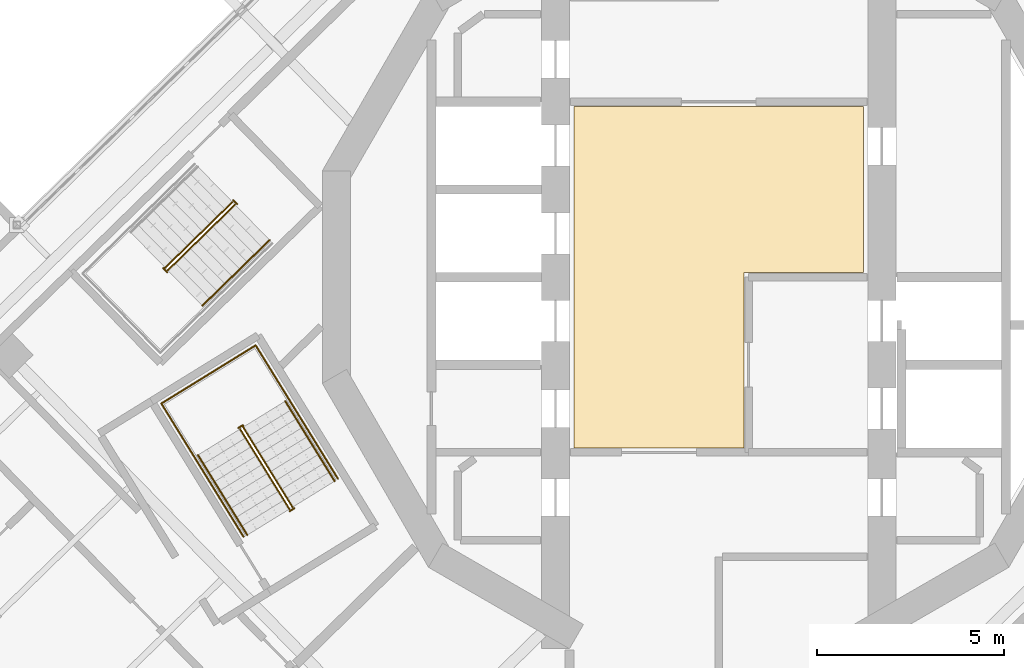
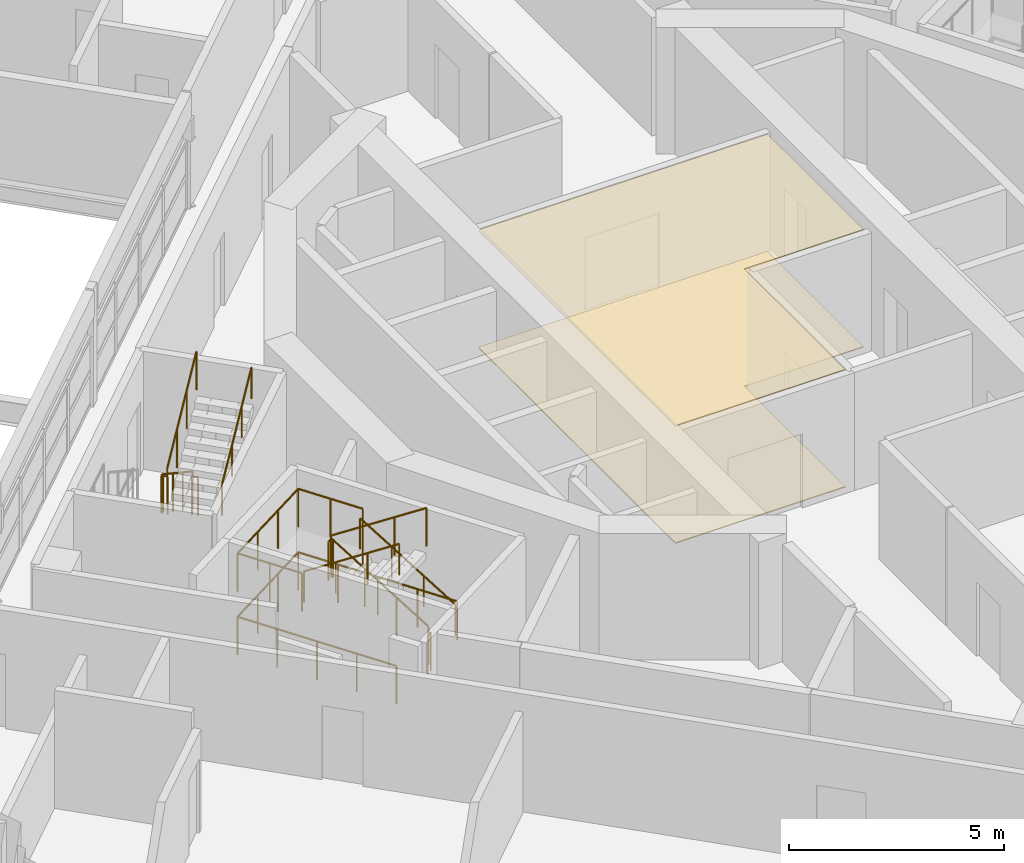
# One storey, part 17 of 21: 11 railings, 2 coverings.
"""IFC4 building model written with IfcOpenShell, lengths in metres."""

from ifc_helpers import new_model, si_unit, direction, frame, origin, origin_2d, place, context, subcontext, project, spatial, polyline, circle, outline, extrude, material, layer, layer_set, type_object, element, save


model = new_model("IFC4")

# Units and contexts
model_context = context("Model", 3, precision=1e-05, world=origin(), true_north=direction((0.0, 1.0)))
body_context = subcontext(model_context, "Body", "Model", "MODEL_VIEW")
ifc_project = project(units=[si_unit("LENGTHUNIT", "METRE"), si_unit("AREAUNIT", "SQUARE_METRE"), si_unit("VOLUMEUNIT", "CUBIC_METRE"), si_unit("PLANEANGLEUNIT", "RADIAN"), si_unit("MASSUNIT", "GRAM", prefix="KILO")], contexts=[model_context])

# Site, building, storey
site_placement = place(None, origin())
site = spatial("IfcSite", under=ifc_project, at=site_placement, CompositionType="ELEMENT")
building_placement = place(site_placement, origin())
building = spatial("IfcBuilding", under=site, at=building_placement, Name="Cantera Rosa Tower", CompositionType="ELEMENT")
storey_placement = place(building_placement, frame((0.0, 0.0, 230.60009765625)))
storey = spatial("IfcBuildingStorey", under=building, at=storey_placement, Name="L50", CompositionType="ELEMENT", Elevation=230.60009765625)

# Railings
ifc_material_1 = material(Name="Steel S355J2 (EN 10025-2)", Category="steel")
railing_type_1 = type_object("IfcRailingType", Name="STAIR GUARD 1100", PredefinedType="GUARDRAIL", material=ifc_material_1)
railing_1_placement = place(storey_placement, frame((-13.032958984375, 2.013427734375, 0.179931640625)))
element("IfcRailing", 1, at=railing_1_placement, inside=storey, type_object=railing_type_1, Name="L50 ST-43 stair guard 1", PredefinedType="GUARDRAIL", context=body_context, shape_type="SweptSolid", body=[
    extrude(circle(Radius=0.02392578125, at=origin_2d()), frame((0.0, 0.0, 1.076171875), z_axis=(-0.60169873645, -0.587844099419, 0.540738333515), x_axis=(0.698823692472, -0.715293958342, 0.0)), (0.0, 0.0, 1.0), 2.99560546875),
    extrude(circle(Radius=0.02392578125, at=origin_2d()), frame((-1.802490234375, -1.760986328125, 2.69580078125), z_axis=(-0.956987977523, -0.290127576896, 0.0), x_axis=(0.290127576896, -0.956987977523, 0.0)), (0.0, 0.0, 1.0), 0.056396484375),
    extrude(circle(Radius=0.02392578125, at=origin_2d()), frame((-1.8564453125, -1.77734375, 2.69580078125), z_axis=(0.698932947801, -0.715187202401, 0.0), x_axis=(0.715187202401, 0.698932947801, 0.0)), (0.0, 0.0, 1.0), 0.150146484375),
    extrude(circle(Radius=0.02099609375, at=origin_2d()), origin(), (0.0, 0.0, 1.0), 1.052001953125),
    extrude(circle(Radius=0.02099609375, at=origin_2d()), frame((-0.600830078125, -0.5869140625, 0.5400390625)), (0.0, 0.0, 1.0), 1.052001953125),
    extrude(circle(Radius=0.02099609375, at=origin_2d()), frame((-1.20166015625, -1.174072265625, 1.079833984375)), (0.0, 0.0, 1.0), 1.052001953125),
    extrude(circle(Radius=0.02099609375, at=origin_2d()), frame((-1.802490234375, -1.760986328125, 1.619873046875)), (0.0, 0.0, 1.0), 1.052001953125),
    extrude(circle(Radius=0.02099609375, at=origin_2d()), frame((-1.8564453125, -1.77734375, 1.619873046875)), (0.0, 0.0, 1.0), 1.052001953125),
    extrude(circle(Radius=0.02099609375, at=origin_2d()), frame((-1.75146484375, -1.884765625, 1.619873046875)), (0.0, 0.0, 1.0), 1.052001953125),
])
railing_2_placement = place(storey_placement, frame((-14.766845703125, 0.182373046875, 1.97998046875)))
element("IfcRailing", 2, at=railing_2_placement, inside=storey, type_object=railing_type_1, Name="L50 ST-43 stair guard 2", PredefinedType="GUARDRAIL", context=body_context, shape_type="SweptSolid", body=[
    extrude(circle(Radius=0.02392578125, at=origin_2d()), frame((0.0, 0.0, 1.076171875), z_axis=(0.60169873645, 0.587844099419, 0.540738333515), x_axis=(-0.698823692472, 0.715293958342, 0.0)), (0.0, 0.0, 1.0), 2.99560546875),
    extrude(circle(Radius=0.02099609375, at=origin_2d()), origin(), (0.0, 0.0, 1.0), 1.052001953125),
    extrude(circle(Radius=0.02099609375, at=origin_2d()), frame((0.600830078125, 0.5869140625, 0.5400390625)), (0.0, 0.0, 1.0), 1.052001953125),
    extrude(circle(Radius=0.02099609375, at=origin_2d()), frame((1.20166015625, 1.174072265625, 1.079833984375)), (0.0, 0.0, 1.0), 1.052001953125),
    extrude(circle(Radius=0.02099609375, at=origin_2d()), frame((1.802490234375, 1.760986328125, 1.619873046875)), (0.0, 0.0, 1.0), 1.052001953125),
])
railing_3_placement = place(storey_placement, frame((-13.01513671875, 2.06689453125, 0.0)))
element("IfcRailing", 3, at=railing_3_placement, inside=storey, type_object=railing_type_1, Name="L50 ST-43 stair guard 3", PredefinedType="GUARDRAIL", context=body_context, shape_type="SweptSolid", body=[
    extrude(circle(Radius=0.02392578125, at=origin_2d()), frame((0.0, 0.0, 1.076171875), z_axis=(0.698914008722, -0.715205710557, 0.0), x_axis=(0.715205710557, 0.698914008722, 0.0)), (0.0, 0.0, 1.0), 0.14990234375),
    extrude(circle(Radius=0.02099609375, at=origin_2d()), origin(), (0.0, 0.0, 1.0), 1.052001953125),
    extrude(circle(Radius=0.02099609375, at=origin_2d()), frame((0.104736328125, -0.107177734375, 0.0)), (0.0, 0.0, 1.0), 1.052001953125),
])
railing_4_placement = place(storey_placement, frame((-11.42333984375, -6.165771484375, 0.179931640625)))
element("IfcRailing", 4, at=railing_4_placement, inside=storey, type_object=railing_type_1, Name="L50 ST-44 stair guard 1", PredefinedType="GUARDRAIL", context=body_context, shape_type="SweptSolid", body=[
    extrude(circle(Radius=0.02392578125, at=origin_2d()), frame((0.0, 0.0, 1.076171875), z_axis=(-0.441628529057, 0.715945124149, 0.540728047664), x_axis=(-0.851102330005, -0.524999832248, 0.0)), (0.0, 0.0, 1.0), 2.99560546875),
    extrude(circle(Radius=0.02392578125, at=origin_2d()), frame((-1.322998046875, 2.144775390625, 2.69580078125), z_axis=(-0.073711968402, 0.997279572494, 0.0), x_axis=(-0.997279572494, -0.073711968402, 0.0)), (0.0, 0.0, 1.0), 0.056396484375),
    extrude(circle(Radius=0.02392578125, at=origin_2d()), frame((-1.3271484375, 2.200927734375, 2.69580078125), z_axis=(-0.851546489876, -0.524279100842, 0.0), x_axis=(0.524279100842, -0.851546489876, 0.0)), (0.0, 0.0, 1.0), 0.14990234375),
    extrude(circle(Radius=0.02099609375, at=origin_2d()), origin(), (0.0, 0.0, 1.0), 1.052001953125),
    extrude(circle(Radius=0.02099609375, at=origin_2d()), frame((-0.44091796875, 0.71484375, 0.5400390625)), (0.0, 0.0, 1.0), 1.052001953125),
    extrude(circle(Radius=0.02099609375, at=origin_2d()), frame((-0.882080078125, 1.429931640625, 1.079833984375)), (0.0, 0.0, 1.0), 1.052001953125),
    extrude(circle(Radius=0.02099609375, at=origin_2d()), frame((-1.322998046875, 2.144775390625, 1.619873046875)), (0.0, 0.0, 1.0), 1.052001953125),
    extrude(circle(Radius=0.02099609375, at=origin_2d()), frame((-1.3271484375, 2.200927734375, 1.619873046875)), (0.0, 0.0, 1.0), 1.052001953125),
    extrude(circle(Radius=0.02099609375, at=origin_2d()), frame((-1.454833984375, 2.122314453125, 1.619873046875)), (0.0, 0.0, 1.0), 1.052001953125),
])
railing_5_placement = place(storey_placement, frame((-12.82958984375, -4.072509765625, 1.97998046875)))
element("IfcRailing", 5, at=railing_5_placement, inside=storey, type_object=railing_type_1, Name="L50 ST-44 stair guard 2", PredefinedType="GUARDRAIL", context=body_context, shape_type="SweptSolid", body=[
    extrude(circle(Radius=0.02392578125, at=origin_2d()), frame((0.0, 0.0, 1.076171875), z_axis=(0.441562923896, -0.715970890813, 0.540747508315), x_axis=(0.851145618652, 0.524929648476, 0.0)), (0.0, 0.0, 1.0), 2.99560546875),
    extrude(circle(Radius=0.02099609375, at=origin_2d()), origin(), (0.0, 0.0, 1.0), 1.052001953125),
    extrude(circle(Radius=0.02099609375, at=origin_2d()), frame((0.44091796875, -0.71484375, 0.5400390625)), (0.0, 0.0, 1.0), 1.052001953125),
    extrude(circle(Radius=0.02099609375, at=origin_2d()), frame((0.8818359375, -1.429931640625, 1.079833984375)), (0.0, 0.0, 1.0), 1.052001953125),
    extrude(circle(Radius=0.02099609375, at=origin_2d()), frame((1.32275390625, -2.144775390625, 1.619873046875)), (0.0, 0.0, 1.0), 1.052001953125),
])
railing_6_placement = place(storey_placement, frame((-11.375, -6.19482421875, 0.0)))
element("IfcRailing", 6, at=railing_6_placement, inside=storey, type_object=railing_type_1, Name="L50 ST-44 stair guard 3", PredefinedType="GUARDRAIL", context=body_context, shape_type="SweptSolid", body=[
    extrude(circle(Radius=0.02392578125, at=origin_2d()), frame((0.0, 0.0, 1.076171875), z_axis=(-0.851546489876, -0.524279100842, 0.0), x_axis=(0.524279100842, -0.851546489876, 0.0)), (0.0, 0.0, 1.0), 0.14990234375),
    extrude(circle(Radius=0.02099609375, at=origin_2d()), origin(), (0.0, 0.0, 1.0), 1.052001953125),
    extrude(circle(Radius=0.02099609375, at=origin_2d()), frame((-0.127685546875, -0.07861328125, 0.0)), (0.0, 0.0, 1.0), 1.052001953125),
])
railing_7_placement = place(storey_placement, frame((-10.20751953125, -5.40185546875, 0.0)))
element("IfcRailing", 7, at=railing_7_placement, inside=storey, type_object=railing_type_1, Name="L50 ST-44 stair guard 4", PredefinedType="GUARDRAIL", context=body_context, shape_type="SweptSolid", body=[
    extrude(circle(Radius=0.02392578125, at=origin_2d()), frame((0.0, 0.0, 1.076171875), z_axis=(-0.524976478809, 0.851116735059, 0.0), x_axis=(-0.851116735059, -0.524976478809, 0.0)), (0.0, 0.0, 1.0), 4.197998046875),
    extrude(circle(Radius=0.02392578125, at=origin_2d()), frame((-2.203857421875, 3.572998046875, 1.076171875), z_axis=(-0.851132917336, -0.524950242429, 0.0), x_axis=(0.524950242429, -0.851132917336, 0.0)), (0.0, 0.0, 1.0), 2.969970703125),
    extrude(circle(Radius=0.02392578125, at=origin_2d()), frame((-4.731689453125, 2.013916015625, 1.076171875), z_axis=(0.524976478809, -0.851116735059, 0.0), x_axis=(0.851116735059, 0.524976478809, 0.0)), (0.0, 0.0, 1.0), 4.197998046875),
    extrude(circle(Radius=0.02099609375, at=origin_2d()), origin(), (0.0, 0.0, 1.0), 1.052001953125),
    extrude(circle(Radius=0.02099609375, at=origin_2d()), frame((-0.551025390625, 0.893310546875, 0.0)), (0.0, 0.0, 1.0), 1.052001953125),
    extrude(circle(Radius=0.02099609375, at=origin_2d()), frame((-1.10205078125, 1.78662109375, 0.0)), (0.0, 0.0, 1.0), 1.052001953125),
    extrude(circle(Radius=0.02099609375, at=origin_2d()), frame((-1.65283203125, 2.6796875, 0.0)), (0.0, 0.0, 1.0), 1.052001953125),
    extrude(circle(Radius=0.02099609375, at=origin_2d()), frame((-2.203857421875, 3.572998046875, 0.0)), (0.0, 0.0, 1.0), 1.052001953125),
    extrude(circle(Radius=0.02099609375, at=origin_2d()), frame((-3.04638671875, 3.05322265625, 0.0)), (0.0, 0.0, 1.0), 1.052001953125),
    extrude(circle(Radius=0.02099609375, at=origin_2d()), frame((-3.88916015625, 2.53369140625, 0.0)), (0.0, 0.0, 1.0), 1.052001953125),
    extrude(circle(Radius=0.02099609375, at=origin_2d()), frame((-4.731689453125, 2.013916015625, 0.0)), (0.0, 0.0, 1.0), 1.052001953125),
    extrude(circle(Radius=0.02099609375, at=origin_2d()), frame((-4.1806640625, 1.12060546875, 0.0)), (0.0, 0.0, 1.0), 1.052001953125),
    extrude(circle(Radius=0.02099609375, at=origin_2d()), frame((-3.6298828125, 0.2275390625, 0.0)), (0.0, 0.0, 1.0), 1.052001953125),
    extrude(circle(Radius=0.02099609375, at=origin_2d()), frame((-3.078857421875, -0.665771484375, 0.0)), (0.0, 0.0, 1.0), 1.052001953125),
    extrude(circle(Radius=0.02099609375, at=origin_2d()), frame((-2.52783203125, -1.55908203125, 0.0)), (0.0, 0.0, 1.0), 1.052001953125),
])
railing_8_placement = place(storey_placement, frame((-11.517822265625, -3.27734375, 1.7998046875)))
element("IfcRailing", 8, at=railing_8_placement, inside=storey, type_object=railing_type_1, Name="L50 ST-44 stair guard 5", PredefinedType="GUARDRAIL", context=body_context, shape_type="SweptSolid", body=[
    extrude(circle(Radius=0.02392578125, at=origin_2d()), frame((0.0, 0.0, 1.076171875), z_axis=(-0.525025534833, 0.851086474909, 0.0), x_axis=(-0.851086474909, -0.525025534833, 0.0)), (0.0, 0.0, 1.0), 1.701904296875),
    extrude(circle(Radius=0.02392578125, at=origin_2d()), frame((-0.8935546875, 1.448486328125, 1.076171875), z_axis=(-0.851132917336, -0.524950242429, 0.0), x_axis=(0.524950242429, -0.851132917336, 0.0)), (0.0, 0.0, 1.0), 2.969970703125),
    extrude(circle(Radius=0.02392578125, at=origin_2d()), frame((-3.42138671875, -0.110595703125, 1.076171875), z_axis=(0.524961441845, -0.851126009811, 0.0), x_axis=(0.851126009811, 0.524961441845, 0.0)), (0.0, 0.0, 1.0), 1.7021484375),
    extrude(circle(Radius=0.02099609375, at=origin_2d()), origin(), (0.0, 0.0, 1.0), 1.052001953125),
    extrude(circle(Radius=0.02099609375, at=origin_2d()), frame((-0.44677734375, 0.72412109375, 0.0)), (0.0, 0.0, 1.0), 1.052001953125),
    extrude(circle(Radius=0.02099609375, at=origin_2d()), frame((-0.8935546875, 1.448486328125, 0.0)), (0.0, 0.0, 1.0), 1.052001953125),
    extrude(circle(Radius=0.02099609375, at=origin_2d()), frame((-1.736083984375, 0.9287109375, 0.0)), (0.0, 0.0, 1.0), 1.052001953125),
    extrude(circle(Radius=0.02099609375, at=origin_2d()), frame((-2.578857421875, 0.4091796875, 0.0)), (0.0, 0.0, 1.0), 1.052001953125),
    extrude(circle(Radius=0.02099609375, at=origin_2d()), frame((-3.42138671875, -0.110595703125, 0.0)), (0.0, 0.0, 1.0), 1.052001953125),
    extrude(circle(Radius=0.02099609375, at=origin_2d()), frame((-2.974609375, -0.8349609375, 0.0)), (0.0, 0.0, 1.0), 1.052001953125),
    extrude(circle(Radius=0.02099609375, at=origin_2d()), frame((-2.52783203125, -1.559326171875, 0.0)), (0.0, 0.0, 1.0), 1.052001953125),
])
ifc_material_2 = material(Name="Steel S355J2 (EN 10025-2)", Category="steel")
railing_type_2 = type_object("IfcRailingType", Name="STAIR HANDRAIL 900", PredefinedType="HANDRAIL", material=ifc_material_2)
railing_9_placement = place(storey_placement, frame((-13.84033203125, -0.76611328125, 1.97998046875)))
element("IfcRailing", 9, at=railing_9_placement, inside=storey, type_object=railing_type_2, Name="L50 ST-43 stair handrail 2", PredefinedType="HANDRAIL", context=body_context, shape_type="SweptSolid", body=[
    extrude(circle(Radius=0.02392578125, at=origin_2d()), frame((0.0, 0.0, 0.8759765625), z_axis=(0.601750724892, 0.587815273381, 0.540711817397), x_axis=(-0.698775265409, 0.715341267126, 0.0)), (0.0, 0.0, 1.0), 2.995849609375),
    extrude(circle(Radius=0.02099609375, at=origin_2d()), origin(), (0.0, 0.0, 1.0), 0.851806640625),
    extrude(circle(Radius=0.02099609375, at=origin_2d()), frame((0.600830078125, 0.5869140625, 0.5400390625)), (0.0, 0.0, 1.0), 0.851806640625),
    extrude(circle(Radius=0.02099609375, at=origin_2d()), frame((1.201904296875, 1.174072265625, 1.079833984375)), (0.0, 0.0, 1.0), 0.851806640625),
    extrude(circle(Radius=0.02099609375, at=origin_2d()), frame((1.802734375, 1.760986328125, 1.619873046875)), (0.0, 0.0, 1.0), 0.851806640625),
])
railing_10_placement = place(storey_placement, frame((-10.294677734375, -5.4697265625, 0.179931640625)))
element("IfcRailing", 10, at=railing_10_placement, inside=storey, type_object=railing_type_2, Name="L50 ST-44 stair handrail 1", PredefinedType="HANDRAIL", context=body_context, shape_type="SweptSolid", body=[
    extrude(circle(Radius=0.02392578125, at=origin_2d()), frame((0.0, 0.0, 0.8759765625), z_axis=(-0.441628529057, 0.715945124149, 0.540728047664), x_axis=(-0.851102330005, -0.524999832248, 0.0)), (0.0, 0.0, 1.0), 2.99560546875),
    extrude(circle(Radius=0.02099609375, at=origin_2d()), origin(), (0.0, 0.0, 1.0), 0.851806640625),
    extrude(circle(Radius=0.02099609375, at=origin_2d()), frame((-0.44091796875, 0.71484375, 0.5400390625)), (0.0, 0.0, 1.0), 0.851806640625),
    extrude(circle(Radius=0.02099609375, at=origin_2d()), frame((-0.882080078125, 1.429931640625, 1.079833984375)), (0.0, 0.0, 1.0), 0.851806640625),
    extrude(circle(Radius=0.02099609375, at=origin_2d()), frame((-1.322998046875, 2.144775390625, 1.619873046875)), (0.0, 0.0, 1.0), 0.851806640625),
])
railing_11_placement = place(storey_placement, frame((-13.958251953125, -4.7685546875, 1.97998046875)))
element("IfcRailing", 11, at=railing_11_placement, inside=storey, type_object=railing_type_2, Name="L50 ST-44 stair handrail 2", PredefinedType="HANDRAIL", context=body_context, shape_type="SweptSolid", body=[
    extrude(circle(Radius=0.02392578125, at=origin_2d()), frame((0.0, 0.0, 0.8759765625), z_axis=(0.441628529057, -0.715945124149, 0.540728047664), x_axis=(0.851102330005, 0.524999832248, 0.0)), (0.0, 0.0, 1.0), 2.99560546875),
    extrude(circle(Radius=0.02099609375, at=origin_2d()), origin(), (0.0, 0.0, 1.0), 0.851806640625),
    extrude(circle(Radius=0.02099609375, at=origin_2d()), frame((0.44091796875, -0.71484375, 0.5400390625)), (0.0, 0.0, 1.0), 0.851806640625),
    extrude(circle(Radius=0.02099609375, at=origin_2d()), frame((0.882080078125, -1.429931640625, 1.079833984375)), (0.0, 0.0, 1.0), 0.851806640625),
    extrude(circle(Radius=0.02099609375, at=origin_2d()), frame((1.322998046875, -2.144775390625, 1.619873046875)), (0.0, 0.0, 1.0), 0.851806640625),
])

# Coverings
ifc_material_3 = material(Name="Limestone paving", Category="masonry")
ifc_layer_1 = layer(ifc_material_3, 0.02490234375)
ifc_layer_set_1 = layer_set([ifc_layer_1], Name="STONE FLOOR FINISH 25")
covering_type_1 = type_object("IfcCoveringType", Name="STONE FLOOR FINISH 25", PredefinedType="FLOORING", material=ifc_layer_set_1)
covering_1_placement = place(storey_placement, origin())
element("IfcCovering", 12, at=covering_1_placement, inside=storey, type_object=covering_type_1, Name="STONE FLOOR FINISH L50", PredefinedType="FLOORING", context=body_context, shape_type="SweptSolid", body=[
    extrude(outline(polyline([(3.8798828125, 4.580078125), (3.8798828125, 0.1201171875), (0.679931640625, 0.1201171875), (0.679931640625, -4.580078125), (-3.8798828125, -4.580078125), (-3.8798828125, 4.580078125), (3.8798828125, 4.580078125)])), origin(), (0.0, 0.0, 1.0), 0.02490234375),
])
ifc_material_4 = material(Name="Gypsum ceiling tile")
ifc_layer_2 = layer(ifc_material_4, 0.030029296875)
ifc_layer_set_2 = layer_set([ifc_layer_2], Name="SUSPENDED CEILING 30")
covering_type_2 = type_object("IfcCoveringType", Name="SUSPENDED CEILING 30", PredefinedType="CEILING", material=ifc_layer_set_2)
covering_2_placement = place(storey_placement, frame((0.0, 0.0, 3.31982421875)))
element("IfcCovering", 13, at=covering_2_placement, inside=storey, type_object=covering_type_2, Name="SUSPENDED CEILING L50", PredefinedType="CEILING", context=body_context, shape_type="SweptSolid", body=[
    extrude(outline(polyline([(3.8798828125, 4.580078125), (3.8798828125, 0.1201171875), (0.679931640625, 0.1201171875), (0.679931640625, -4.580078125), (-3.8798828125, -4.580078125), (-3.8798828125, 4.580078125), (3.8798828125, 4.580078125)])), origin(), (0.0, 0.0, 1.0), 0.030029296875),
])

save(model, "model.ifc")
